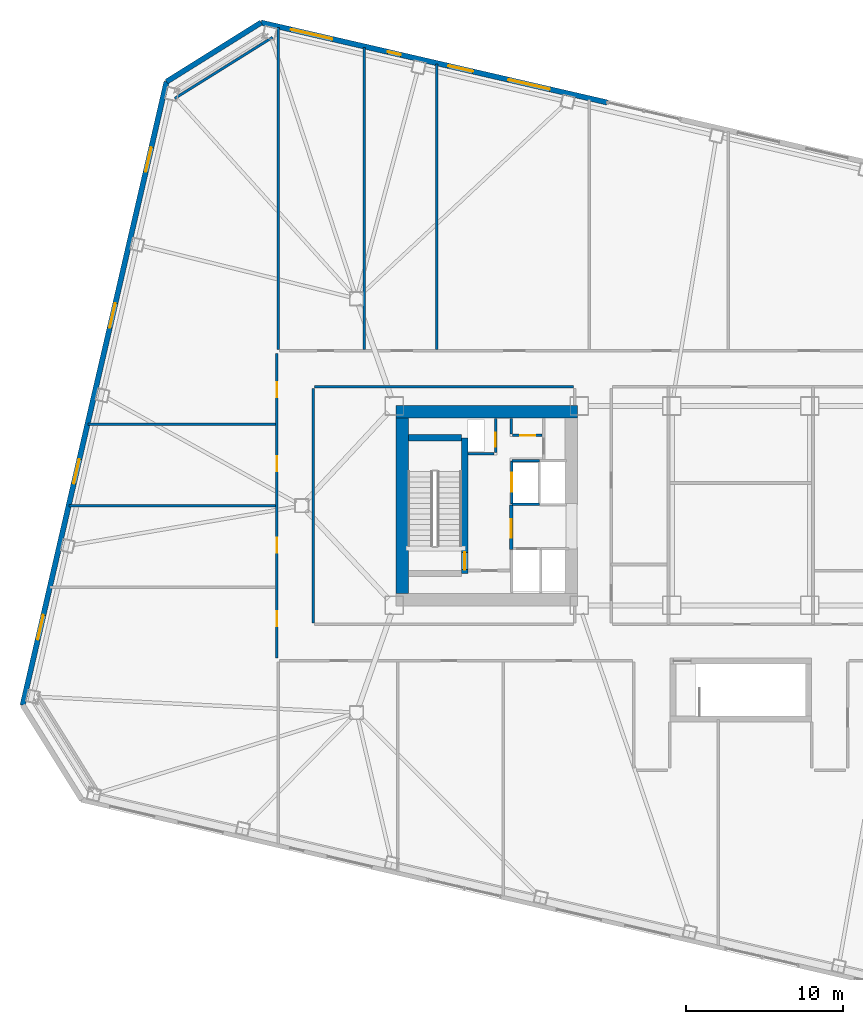
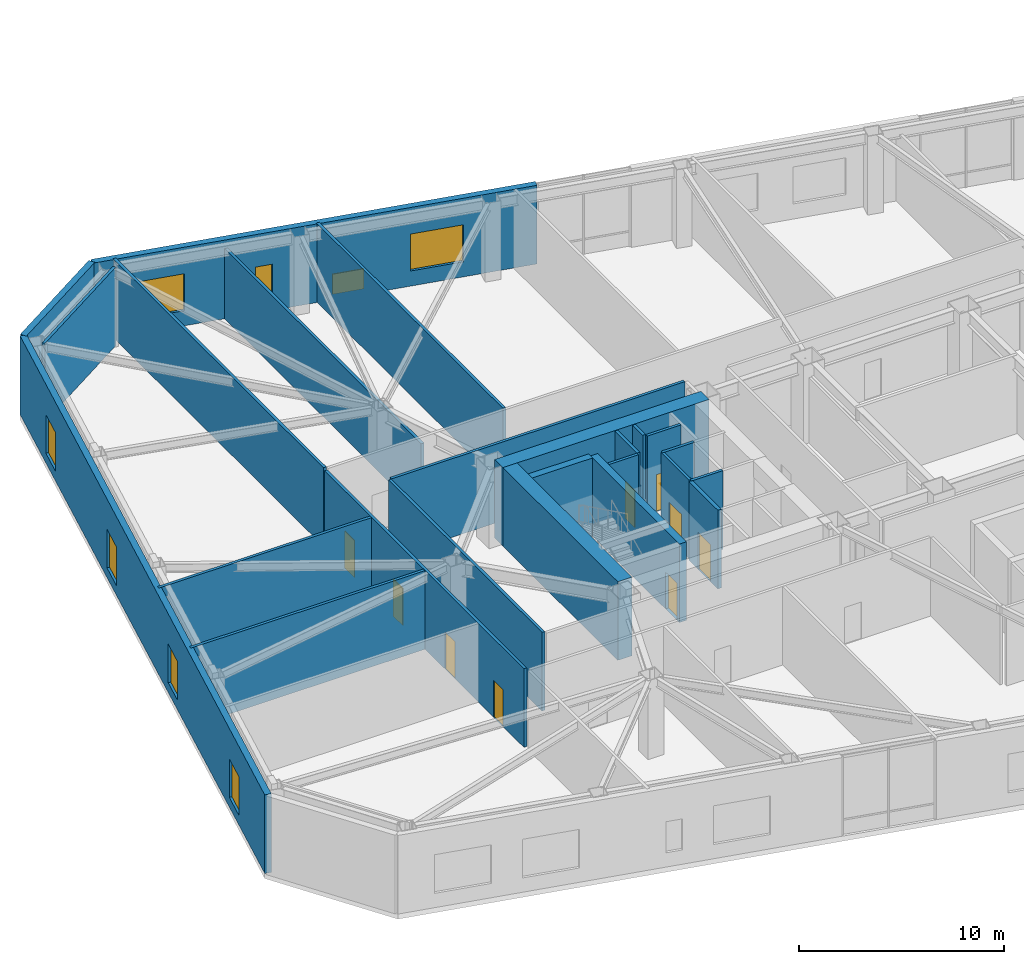
# One storey, part 11 of 19: 24 walls, 9 doors, 8 windows, 17 openings.
"""IFC4 building model written with IfcOpenShell, lengths in metres."""

from ifc_helpers import new_model, si_unit, direction, frame, frame_2d, origin, place, context, subcontext, project, spatial, rectangle, extrude, material, layer, layer_set, type_object, element, fill, save


model = new_model("IFC4")

# Units and contexts
model_context = context("Model", 3, precision=1e-05, world=origin(), true_north=direction((0.0, 1.0)))
body_context = subcontext(model_context, "Body", "Model", "MODEL_VIEW")
ifc_project = project(units=[si_unit("LENGTHUNIT", "METRE"), si_unit("AREAUNIT", "SQUARE_METRE"), si_unit("VOLUMEUNIT", "CUBIC_METRE"), si_unit("PLANEANGLEUNIT", "RADIAN"), si_unit("MASSUNIT", "GRAM", prefix="KILO")], contexts=[model_context])

# Site, building, storey
site_placement = place(None, origin())
site = spatial("IfcSite", under=ifc_project, at=site_placement, CompositionType="ELEMENT")
building_placement = place(site_placement, origin())
building = spatial("IfcBuilding", under=site, at=building_placement, Name="Tavrogorsk Clinical Tower", CompositionType="ELEMENT")
storey_placement = place(building_placement, frame((0.0, 0.0, 28.39990234375)))
storey = spatial("IfcBuildingStorey", under=building, at=storey_placement, Name="L05", CompositionType="ELEMENT", Elevation=28.39990234375)

# Wall, opening, door
ifc_material_1 = material(Name="Concrete B60", Category="concrete")
ifc_layer_1 = layer(ifc_material_1, 0.199951171875)
ifc_layer_set_1 = layer_set([ifc_layer_1], Name="Concrete B60")
wall_type_1 = type_object("IfcWallType", Name="CoreFireWall_200", PredefinedType="SOLIDWALL", material=ifc_layer_set_1)
wall_1_placement = place(storey_placement, frame((-14.639892578125, -2.780029296875, 0.0), z_axis=(0.0, 0.0, 1.0), x_axis=(0.0, 1.0, 0.0)))
wall_1 = element("IfcWall", 1, at=wall_1_placement, inside=storey, type_object=wall_type_1, Name="L05 Core West Firefighting Lobby Fire Wall", PredefinedType="SOLIDWALL", context=body_context, shape_type="SweptSolid", body=[
    extrude(rectangle(XDim=2.820068359375, YDim=0.199951171875, at=frame_2d((1.41015625, 0.0))), origin(), (0.0, 0.0, 1.0), 4.68017578125),
])
opening_1_placement = place(wall_1_placement, frame((0.72998046875, 0.0, 0.0)))
opening_1 = element("IfcOpeningElement", 2, at=opening_1_placement, cuts=wall_1, Name="Opening FD-01", PredefinedType="OPENING", context=body_context, shape_type="SweptSolid", body=[
    extrude(rectangle(XDim=1.199951171875, YDim=2.199951171875, at=frame_2d((0.60009765625, 1.10009765625))), frame((0.0, 0.10986328125, 0.0), z_axis=(0.0, -1.0, 0.0), x_axis=(1.0, 0.0, 0.0)), (0.0, 0.0, 1.0), 0.219970703125),
])
ifc_material_2 = material(Name="Galvanised steel fire-rated door assembly", Category="steel")
door_type_1 = type_object("IfcDoorType", Name="FireDoor_FD01_1200", OperationType="NOTDEFINED", PredefinedType="DOOR", material=ifc_material_2)
door_1_placement = place(opening_1_placement, origin())
door_1 = element("IfcDoor", 3, at=door_1_placement, inside=storey, type_object=door_type_1, Name="L05 Core West Firefighting Lobby Entry Door", OperationType="SINGLE_SWING_LEFT", OverallHeight=2.199951171875, OverallWidth=1.199951171875, PredefinedType="DOOR", context=body_context, shape_type="SweptSolid", body=[
    extrude(rectangle(XDim=1.199951171875, YDim=2.199951171875, at=frame_2d((0.60009765625, 1.10009765625))), frame((0.0, 0.02490234375, 0.0), z_axis=(0.0, -1.0, 0.0), x_axis=(1.0, 0.0, 0.0)), (0.0, 0.0, 1.0), 0.050048828125),
])
fill(opening_1, door_1)

ifc_material_3 = material(Name="Lightweight concrete blockwork B15", Category="masonry")
ifc_layer_2 = layer(ifc_material_3, 0.159912109375)
ifc_layer_set_2 = layer_set([ifc_layer_2], Name="Lightweight concrete blockwork B15")
wall_type_2 = type_object("IfcWallType", Name="PartitionWall_160", PredefinedType="PARTITIONING", material=ifc_layer_set_2)
wall_2_placement = place(storey_placement, frame((-14.554931640625, 4.47998046875, 0.0), z_axis=(0.0, 0.0, 1.0), x_axis=(1.0, 0.0, 0.0)))
wall_2 = element("IfcWall", 4, at=wall_2_placement, inside=storey, type_object=wall_type_2, Name="L05 Core West Housekeeping South Wall", PredefinedType="PARTITIONING", context=body_context, shape_type="SweptSolid", body=[
    extrude(rectangle(XDim=1.889892578125, YDim=0.159912109375, at=frame_2d((0.94482421875, 0.0))), origin(), (0.0, 0.0, 1.0), 4.68017578125),
])
opening_2_placement = place(wall_2_placement, frame((0.5, 0.0, 0.0)))
opening_2 = element("IfcOpeningElement", 5, at=opening_2_placement, cuts=wall_2, Name="Opening ID-02", PredefinedType="OPENING", context=body_context, shape_type="SweptSolid", body=[
    extrude(rectangle(XDim=0.949951171875, YDim=2.199951171875, at=frame_2d((0.47509765625, 1.10009765625))), frame((0.0, 0.08984375, 0.0), z_axis=(0.0, -1.0, 0.0), x_axis=(1.0, 0.0, 0.0)), (0.0, 0.0, 1.0), 0.179931640625),
])
ifc_material_4 = material(Name="Laminated timber leaf on aluminium frame", Category="wood")
door_type_2 = type_object("IfcDoorType", Name="InteriorDoor_ID02_950", OperationType="NOTDEFINED", PredefinedType="DOOR", material=ifc_material_4)
door_2_placement = place(opening_2_placement, origin())
door_2 = element("IfcDoor", 6, at=door_2_placement, inside=storey, type_object=door_type_2, Name="L05 Core West Housekeeping Closet Door", OperationType="SINGLE_SWING_RIGHT", OverallHeight=2.199951171875, OverallWidth=0.949951171875, PredefinedType="DOOR", context=body_context, shape_type="SweptSolid", body=[
    extrude(rectangle(XDim=0.949951171875, YDim=2.199951171875, at=frame_2d((0.47509765625, 1.10009765625))), frame((0.0, 0.02490234375, 0.0), z_axis=(0.0, -1.0, 0.0), x_axis=(1.0, 0.0, 0.0)), (0.0, 0.0, 1.0), 0.050048828125),
])
fill(opening_2, door_2)

# Walls
wall_3_placement = place(storey_placement, frame((-14.639892578125, 4.56494140625, 0.0), z_axis=(0.0, 0.0, 1.0), x_axis=(0.0, 1.0, 0.0)))
element("IfcWall", 7, at=wall_3_placement, inside=storey, type_object=wall_type_2, Name="L05 Core West Housekeeping East Wall", PredefinedType="PARTITIONING", context=body_context, shape_type="SweptSolid", body=[
    extrude(rectangle(XDim=0.9951171875, YDim=0.159912109375, at=frame_2d((0.49755859375, 0.0))), origin(), (0.0, 0.0, 1.0), 4.68017578125),
])
wall_4_placement = place(storey_placement, frame((-29.859619140625, 29.8681640625, 0.0), z_axis=(0.0, 0.0, 1.0), x_axis=(-0.848043064089, -0.529927317139, 0.0)))
element("IfcWall", 8, at=wall_4_placement, inside=storey, type_object=wall_type_2, Name="L05 Corner Exoskeleton Brace Furring Wall 3", PredefinedType="PARTITIONING", context=body_context, shape_type="SweptSolid", body=[
    extrude(rectangle(XDim=7.353759765625, YDim=0.159912109375, at=frame_2d((3.6767578125, 0.0))), origin(), (0.0, 0.0, 1.0), 4.68017578125),
])

# Wall, openings, doors
wall_5_placement = place(storey_placement, frame((-29.580078125, -9.715087890625, 0.0), z_axis=(0.0, 0.0, 1.0), x_axis=(0.0, 1.0, 0.0)))
wall_5 = element("IfcWall", 9, at=wall_5_placement, inside=storey, type_object=wall_type_2, Name="L05 Corridor Partition 01", PredefinedType="PARTITIONING", context=body_context, shape_type="SweptSolid", body=[
    extrude(rectangle(XDim=19.43017578125, YDim=0.159912109375, at=frame_2d((9.715087890625, 0.0))), origin(), (0.0, 0.0, 1.0), 4.68017578125),
])
opening_3_placement = place(wall_5_placement, frame((2.01904296875, 0.0, 0.0)))
opening_3 = element("IfcOpeningElement", 10, at=opening_3_placement, cuts=wall_5, Name="Opening ID-02", PredefinedType="OPENING", context=body_context, shape_type="SweptSolid", body=[
    extrude(rectangle(XDim=0.949951171875, YDim=2.199951171875, at=frame_2d((0.47509765625, 1.10009765625))), frame((0.0, 0.08984375, 0.0), z_axis=(0.0, -1.0, 0.0), x_axis=(1.0, 0.0, 0.0)), (0.0, 0.0, 1.0), 0.179931640625),
])
opening_4_placement = place(wall_5_placement, frame((6.72509765625, 0.0, 0.0)))
opening_4 = element("IfcOpeningElement", 11, at=opening_4_placement, cuts=wall_5, Name="Opening ID-02", PredefinedType="OPENING", context=body_context, shape_type="SweptSolid", body=[
    extrude(rectangle(XDim=0.949951171875, YDim=2.199951171875, at=frame_2d((0.47509765625, 1.10009765625))), frame((0.0, 0.08984375, 0.0), z_axis=(0.0, -1.0, 0.0), x_axis=(1.0, 0.0, 0.0)), (0.0, 0.0, 1.0), 0.179931640625),
])
opening_5_placement = place(wall_5_placement, frame((11.925048828125, 0.0, 0.0)))
opening_5 = element("IfcOpeningElement", 12, at=opening_5_placement, cuts=wall_5, Name="Opening ID-02", PredefinedType="OPENING", context=body_context, shape_type="SweptSolid", body=[
    extrude(rectangle(XDim=0.949951171875, YDim=2.199951171875, at=frame_2d((0.47509765625, 1.10009765625))), frame((0.0, 0.08984375, 0.0), z_axis=(0.0, -1.0, 0.0), x_axis=(1.0, 0.0, 0.0)), (0.0, 0.0, 1.0), 0.179931640625),
])
opening_6_placement = place(wall_5_placement, frame((16.630859375, 0.0, 0.0)))
opening_6 = element("IfcOpeningElement", 13, at=opening_6_placement, cuts=wall_5, Name="Opening ID-02", PredefinedType="OPENING", context=body_context, shape_type="SweptSolid", body=[
    extrude(rectangle(XDim=0.949951171875, YDim=2.199951171875, at=frame_2d((0.47509765625, 1.10009765625))), frame((0.0, 0.08984375, 0.0), z_axis=(0.0, -1.0, 0.0), x_axis=(1.0, 0.0, 0.0)), (0.0, 0.0, 1.0), 0.179931640625),
])
door_3_placement = place(opening_3_placement, origin())
door_3 = element("IfcDoor", 14, at=door_3_placement, inside=storey, type_object=door_type_2, Name="L05 W Solarium Day Room & Lounge 1 Door", OperationType="SINGLE_SWING_LEFT", OverallHeight=2.199951171875, OverallWidth=0.949951171875, PredefinedType="DOOR", context=body_context, shape_type="SweptSolid", body=[
    extrude(rectangle(XDim=0.949951171875, YDim=2.199951171875, at=frame_2d((0.47509765625, 1.10009765625))), frame((0.0, 0.02490234375, 0.0), z_axis=(0.0, -1.0, 0.0), x_axis=(1.0, 0.0, 0.0)), (0.0, 0.0, 1.0), 0.050048828125),
])
fill(opening_3, door_3)
door_4_placement = place(opening_4_placement, origin())
door_4 = element("IfcDoor", 15, at=door_4_placement, inside=storey, type_object=door_type_2, Name="L05 W Rehabilitation Therapy Suite 2 Door", OperationType="SINGLE_SWING_RIGHT", OverallHeight=2.199951171875, OverallWidth=0.949951171875, PredefinedType="DOOR", context=body_context, shape_type="SweptSolid", body=[
    extrude(rectangle(XDim=0.949951171875, YDim=2.199951171875, at=frame_2d((0.47509765625, 1.10009765625))), frame((0.0, 0.02490234375, 0.0), z_axis=(0.0, -1.0, 0.0), x_axis=(1.0, 0.0, 0.0)), (0.0, 0.0, 1.0), 0.050048828125),
])
fill(opening_4, door_4)
door_5_placement = place(opening_5_placement, origin())
door_5 = element("IfcDoor", 16, at=door_5_placement, inside=storey, type_object=door_type_2, Name="L05 W Sub-Acute Observation Suite 3 Door", OperationType="SINGLE_SWING_LEFT", OverallHeight=2.199951171875, OverallWidth=0.949951171875, PredefinedType="DOOR", context=body_context, shape_type="SweptSolid", body=[
    extrude(rectangle(XDim=0.949951171875, YDim=2.199951171875, at=frame_2d((0.47509765625, 1.10009765625))), frame((0.0, 0.02490234375, 0.0), z_axis=(0.0, -1.0, 0.0), x_axis=(1.0, 0.0, 0.0)), (0.0, 0.0, 1.0), 0.050048828125),
])
fill(opening_5, door_5)
door_6_placement = place(opening_6_placement, origin())
door_6 = element("IfcDoor", 17, at=door_6_placement, inside=storey, type_object=door_type_2, Name="L05 W Family Consultation Lounge 4 Door", OperationType="SINGLE_SWING_RIGHT", OverallHeight=2.199951171875, OverallWidth=0.949951171875, PredefinedType="DOOR", context=body_context, shape_type="SweptSolid", body=[
    extrude(rectangle(XDim=0.949951171875, YDim=2.199951171875, at=frame_2d((0.47509765625, 1.10009765625))), frame((0.0, 0.02490234375, 0.0), z_axis=(0.0, -1.0, 0.0), x_axis=(1.0, 0.0, 0.0)), (0.0, 0.0, 1.0), 0.050048828125),
])
fill(opening_6, door_6)

# Walls
wall_6_placement = place(storey_placement, frame((-10.6650390625, 7.570068359375, 0.0), z_axis=(0.0, 0.0, 1.0), x_axis=(-1.0, 0.0, 0.0)))
element("IfcWall", 18, at=wall_6_placement, inside=storey, type_object=wall_type_2, Name="L05 Corridor Partition 23", PredefinedType="PARTITIONING", context=body_context, shape_type="SweptSolid", body=[
    extrude(rectangle(XDim=16.52001953125, YDim=0.159912109375, at=frame_2d((8.260009765625, 0.0))), origin(), (0.0, 0.0, 1.0), 4.68017578125),
])
wall_7_placement = place(storey_placement, frame((-27.27001953125, 7.485107421875, 0.0), z_axis=(0.0, 0.0, 1.0), x_axis=(0.0, -1.0, 0.0)))
element("IfcWall", 19, at=wall_7_placement, inside=storey, type_object=wall_type_2, Name="L05 Corridor Partition 24", PredefinedType="PARTITIONING", context=body_context, shape_type="SweptSolid", body=[
    extrude(rectangle(XDim=14.97021484375, YDim=0.159912109375, at=frame_2d((7.485107421875, 0.0))), origin(), (0.0, 0.0, 1.0), 4.68017578125),
])
wall_8_placement = place(storey_placement, frame((-29.5, 9.965087890625, 0.0), z_axis=(0.0, 0.0, 1.0), x_axis=(0.0, 1.0, 0.0)))
element("IfcWall", 20, at=wall_8_placement, inside=storey, type_object=wall_type_2, Name="L05 NW Wing Closure Partition", PredefinedType="PARTITIONING", context=body_context, shape_type="SweptSolid", body=[
    extrude(rectangle(XDim=20.5185546875, YDim=0.159912109375, at=frame_2d((10.25927734375, 0.0))), origin(), (0.0, 0.0, 1.0), 4.68017578125),
])
wall_9_placement = place(storey_placement, frame((-19.39990234375, 9.965087890625, 0.0), z_axis=(0.0, 0.0, 1.0), x_axis=(0.0, 1.0, 0.0)))
element("IfcWall", 21, at=wall_9_placement, inside=storey, type_object=wall_type_2, Name="L05 North Room Partition 1", PredefinedType="PARTITIONING", context=body_context, shape_type="SweptSolid", body=[
    extrude(rectangle(XDim=18.186767578125, YDim=0.159912109375, at=frame_2d((9.09326171875, 0.0))), origin(), (0.0, 0.0, 1.0), 4.68017578125),
])
wall_10_placement = place(storey_placement, frame((-24.0, 9.965087890625, 0.0), z_axis=(0.0, 0.0, 1.0), x_axis=(0.0, 1.0, 0.0)))
element("IfcWall", 22, at=wall_10_placement, inside=storey, type_object=wall_type_2, Name="L05 North Sub-Partition 1", PredefinedType="PARTITIONING", context=body_context, shape_type="SweptSolid", body=[
    extrude(rectangle(XDim=19.248779296875, YDim=0.159912109375, at=frame_2d((9.62451171875, 0.0))), origin(), (0.0, 0.0, 1.0), 4.175048828125),
])
wall_11_placement = place(storey_placement, frame((-42.841552734375, 0.0, 0.0), z_axis=(0.0, 0.0, 1.0), x_axis=(1.0, 0.0, 0.0)))
element("IfcWall", 23, at=wall_11_placement, inside=storey, type_object=wall_type_2, Name="L05 W Wing Divider 2", PredefinedType="PARTITIONING", context=body_context, shape_type="SweptSolid", body=[
    extrude(rectangle(XDim=13.176513671875, YDim=0.159912109375, at=frame_2d((6.58837890625, 0.0))), origin(), (0.0, 0.0, 1.0), 4.68017578125),
])
wall_12_placement = place(storey_placement, frame((-41.64111328125, 5.199951171875, 0.0), z_axis=(0.0, 0.0, 1.0), x_axis=(1.0, 0.0, 0.0)))
element("IfcWall", 24, at=wall_12_placement, inside=storey, type_object=wall_type_2, Name="L05 W Wing Divider 3", PredefinedType="PARTITIONING", context=body_context, shape_type="SweptSolid", body=[
    extrude(rectangle(XDim=11.97607421875, YDim=0.159912109375, at=frame_2d((5.988037109375, 0.0))), origin(), (0.0, 0.0, 1.0), 4.68017578125),
])

# Wall, openings, windows
ifc_material_5 = material(Name="Precast concrete B45 with limestone cladding", Category="masonry")
ifc_layer_3 = layer(ifc_material_5, 0.340087890625)
ifc_layer_set_3 = layer_set([ifc_layer_3], Name="Precast concrete B45 with limestone cladding")
wall_type_3 = type_object("IfcWallType", Name="PrecastLimestoneWall_340", PredefinedType="STANDARD", material=ifc_layer_set_3)
wall_13_placement = place(storey_placement, frame((-8.5166015625, 25.711181640625, 0.0), z_axis=(0.0, 0.0, 1.0), x_axis=(-0.974372845456, 0.224939009598, 0.0)))
wall_13 = element("IfcWall", 25, at=wall_13_placement, inside=storey, type_object=wall_type_3, Name="L05 N Limestone Facade Wall 3", PredefinedType="STANDARD", context=body_context, shape_type="SweptSolid", body=[
    extrude(rectangle(XDim=22.651611328125, YDim=0.340087890625, at=frame_2d((11.32568359375, 0.0))), origin(), (0.0, 0.0, 1.0), 4.68017578125),
])
opening_7_placement = place(wall_13_placement, frame((17.9892578125, 0.0, 0.89990234375)))
opening_7 = element("IfcOpeningElement", 26, at=opening_7_placement, cuts=wall_13, Name="Opening WN-02", PredefinedType="OPENING", context=body_context, shape_type="SweptSolid", body=[
    extrude(rectangle(XDim=2.699951171875, YDim=2.199951171875, at=frame_2d((1.35009765625, 1.10009765625))), frame((0.0, 0.179931640625, 0.0), z_axis=(0.0, -1.0, 0.0), x_axis=(1.0, 0.0, 0.0)), (0.0, 0.0, 1.0), 0.360107421875),
])
opening_8_placement = place(wall_13_placement, frame((13.5048828125, 0.0, 0.89990234375)))
opening_8 = element("IfcOpeningElement", 27, at=opening_8_placement, cuts=wall_13, Name="Opening WN-06", PredefinedType="OPENING", context=body_context, shape_type="SweptSolid", body=[
    extrude(rectangle(XDim=0.85009765625, YDim=1.85009765625, at=frame_2d((0.425048828125, 0.925048828125))), frame((0.0, 0.179931640625, 0.0), z_axis=(0.0, -1.0, 0.0), x_axis=(1.0, 0.0, 0.0)), (0.0, 0.0, 1.0), 0.360107421875),
])
opening_9_placement = place(wall_13_placement, frame((8.790771484375, 0.0, 0.219970703125)))
opening_9 = element("IfcOpeningElement", 28, at=opening_9_placement, cuts=wall_13, Name="Opening WN-09", PredefinedType="OPENING", context=body_context, shape_type="SweptSolid", body=[
    extrude(rectangle(XDim=1.60009765625, YDim=1.199951171875, at=frame_2d((0.800048828125, 0.60009765625))), frame((0.0, 0.179931640625, 0.0), z_axis=(0.0, -1.0, 0.0), x_axis=(1.0, 0.0, 0.0)), (0.0, 0.0, 1.0), 0.360107421875),
])
opening_10_placement = place(wall_13_placement, frame((3.75634765625, 0.0, 0.89990234375)))
opening_10 = element("IfcOpeningElement", 29, at=opening_10_placement, cuts=wall_13, Name="Opening WN-02", PredefinedType="OPENING", context=body_context, shape_type="SweptSolid", body=[
    extrude(rectangle(XDim=2.699951171875, YDim=2.199951171875, at=frame_2d((1.35009765625, 1.10009765625))), frame((0.0, 0.179931640625, 0.0), z_axis=(0.0, -1.0, 0.0), x_axis=(1.0, 0.0, 0.0)), (0.0, 0.0, 1.0), 0.360107421875),
])
ifc_material_6 = material(Name="Thermally broken aluminium frame and triple IGU", Category="aluminium")
window_type_1 = type_object("IfcWindowType", Name="LowHeadTransWin_1600x1200", PartitioningType="DOUBLE_PANEL_VERTICAL", PredefinedType="WINDOW", material=ifc_material_6)
window_1_placement = place(opening_9_placement, origin())
window_1 = element("IfcWindow", 30, at=window_1_placement, inside=storey, type_object=window_type_1, Name="L05 N Chicago Window 03", OverallHeight=1.199951171875, OverallWidth=1.60009765625, PartitioningType="SINGLE_PANEL", PredefinedType="WINDOW", context=body_context, shape_type="SweptSolid", body=[
    extrude(rectangle(XDim=1.60009765625, YDim=1.199951171875, at=frame_2d((0.800048828125, 0.60009765625))), frame((0.0, 0.030029296875, 0.0), z_axis=(0.0, -1.0, 0.0), x_axis=(1.0, 0.0, 0.0)), (0.0, 0.0, 1.0), 0.06005859375),
])
fill(opening_9, window_1)
ifc_material_7 = material(Name="Thermally broken aluminium frame and triple IGU", Category="aluminium")
window_type_2 = type_object("IfcWindowType", Name="MullionSubWin_850x1850", PartitioningType="SINGLE_PANEL", PredefinedType="WINDOW", material=ifc_material_7)
window_2_placement = place(opening_8_placement, origin())
window_2 = element("IfcWindow", 31, at=window_2_placement, inside=storey, type_object=window_type_2, Name="L05 N Mullion Split Window 02A", OverallHeight=1.85009765625, OverallWidth=0.85009765625, PartitioningType="SINGLE_PANEL", PredefinedType="WINDOW", context=body_context, shape_type="SweptSolid", body=[
    extrude(rectangle(XDim=0.85009765625, YDim=1.85009765625, at=frame_2d((0.425048828125, 0.925048828125))), frame((0.0, 0.030029296875, 0.0), z_axis=(0.0, -1.0, 0.0), x_axis=(1.0, 0.0, 0.0)), (0.0, 0.0, 1.0), 0.06005859375),
])
fill(opening_8, window_2)
ifc_material_8 = material(Name="Thermally broken aluminium frame and triple IGU", Category="aluminium")
window_type_3 = type_object("IfcWindowType", Name="WardChicagoWin_2700x2200", PartitioningType="TRIPLE_PANEL_HORIZONTAL", PredefinedType="WINDOW", material=ifc_material_8)
window_3_placement = place(opening_7_placement, origin())
window_3 = element("IfcWindow", 32, at=window_3_placement, inside=storey, type_object=window_type_3, Name="L05 N Chicago Window 01", OverallHeight=2.199951171875, OverallWidth=2.699951171875, PartitioningType="SINGLE_PANEL", PredefinedType="WINDOW", context=body_context, shape_type="SweptSolid", body=[
    extrude(rectangle(XDim=2.699951171875, YDim=2.199951171875, at=frame_2d((1.35009765625, 1.10009765625))), frame((0.0, 0.030029296875, 0.0), z_axis=(0.0, -1.0, 0.0), x_axis=(1.0, 0.0, 0.0)), (0.0, 0.0, 1.0), 0.06005859375),
])
fill(opening_7, window_3)
window_4_placement = place(opening_10_placement, origin())
window_4 = element("IfcWindow", 33, at=window_4_placement, inside=storey, type_object=window_type_3, Name="L05 N Chicago Window 04", OverallHeight=2.199951171875, OverallWidth=2.699951171875, PartitioningType="SINGLE_PANEL", PredefinedType="WINDOW", context=body_context, shape_type="SweptSolid", body=[
    extrude(rectangle(XDim=2.699951171875, YDim=2.199951171875, at=frame_2d((1.35009765625, 1.10009765625))), frame((0.0, 0.030029296875, 0.0), z_axis=(0.0, -1.0, 0.0), x_axis=(1.0, 0.0, 0.0)), (0.0, 0.0, 1.0), 0.06005859375),
])
fill(opening_10, window_4)

wall_14_placement = place(storey_placement, frame((-36.6201171875, 27.036865234375, 0.0), z_axis=(0.0, 0.0, 1.0), x_axis=(-0.224951280646, -0.974370012539, 0.0)))
wall_14 = element("IfcWall", 34, at=wall_14_placement, inside=storey, type_object=wall_type_3, Name="L05 W Pleated Limestone Wing Wall", PredefinedType="STANDARD", context=body_context, shape_type="SweptSolid", body=[
    extrude(rectangle(XDim=40.7998046875, YDim=0.340087890625, at=frame_2d((20.39990234375, 0.0))), origin(), (0.0, 0.0, 1.0), 4.68017578125),
])
opening_11_placement = place(wall_14_placement, frame((4.300048828125, 0.0, 0.580078125)))
opening_11 = element("IfcOpeningElement", 35, at=opening_11_placement, cuts=wall_14, Name="Opening WN-07", PredefinedType="OPENING", context=body_context, shape_type="SweptSolid", body=[
    extrude(rectangle(XDim=1.60009765625, YDim=2.300048828125, at=frame_2d((0.800048828125, 1.14990234375))), frame((0.0, 0.179931640625, 0.0), z_axis=(0.0, -1.0, 0.0), x_axis=(1.0, 0.0, 0.0)), (0.0, 0.0, 1.0), 0.360107421875),
])
opening_12_placement = place(wall_14_placement, frame((14.5, 0.0, 0.580078125)))
opening_12 = element("IfcOpeningElement", 36, at=opening_12_placement, cuts=wall_14, Name="Opening WN-07", PredefinedType="OPENING", context=body_context, shape_type="SweptSolid", body=[
    extrude(rectangle(XDim=1.60009765625, YDim=2.300048828125, at=frame_2d((0.800048828125, 1.14990234375))), frame((0.0, 0.179931640625, 0.0), z_axis=(0.0, -1.0, 0.0), x_axis=(1.0, 0.0, 0.0)), (0.0, 0.0, 1.0), 0.360107421875),
])
opening_13_placement = place(wall_14_placement, frame((24.699951171875, 0.0, 0.580078125)))
opening_13 = element("IfcOpeningElement", 37, at=opening_13_placement, cuts=wall_14, Name="Opening WN-07", PredefinedType="OPENING", context=body_context, shape_type="SweptSolid", body=[
    extrude(rectangle(XDim=1.60009765625, YDim=2.300048828125, at=frame_2d((0.800048828125, 1.14990234375))), frame((0.0, 0.179931640625, 0.0), z_axis=(0.0, -1.0, 0.0), x_axis=(1.0, 0.0, 0.0)), (0.0, 0.0, 1.0), 0.360107421875),
])
opening_14_placement = place(wall_14_placement, frame((34.89990234375, 0.0, 0.580078125)))
opening_14 = element("IfcOpeningElement", 38, at=opening_14_placement, cuts=wall_14, Name="Opening WN-07", PredefinedType="OPENING", context=body_context, shape_type="SweptSolid", body=[
    extrude(rectangle(XDim=1.60009765625, YDim=2.300048828125, at=frame_2d((0.800048828125, 1.14990234375))), frame((0.0, 0.179931640625, 0.0), z_axis=(0.0, -1.0, 0.0), x_axis=(1.0, 0.0, 0.0)), (0.0, 0.0, 1.0), 0.360107421875),
])
ifc_material_9 = material(Name="Thermally broken aluminium frame and triple IGU", Category="aluminium")
window_type_4 = type_object("IfcWindowType", Name="PleatSlotWin_1600x2300", PartitioningType="SINGLE_PANEL", PredefinedType="WINDOW", material=ifc_material_9)
window_5_placement = place(opening_11_placement, origin())
window_5 = element("IfcWindow", 39, at=window_5_placement, inside=storey, type_object=window_type_4, Name="L05 W Pleat Slot Window 1", OverallHeight=2.300048828125, OverallWidth=1.60009765625, PartitioningType="SINGLE_PANEL", PredefinedType="WINDOW", context=body_context, shape_type="SweptSolid", body=[
    extrude(rectangle(XDim=1.60009765625, YDim=2.300048828125, at=frame_2d((0.800048828125, 1.14990234375))), frame((0.0, 0.030029296875, 0.0), z_axis=(0.0, -1.0, 0.0), x_axis=(1.0, 0.0, 0.0)), (0.0, 0.0, 1.0), 0.06005859375),
])
fill(opening_11, window_5)
window_6_placement = place(opening_12_placement, origin())
window_6 = element("IfcWindow", 40, at=window_6_placement, inside=storey, type_object=window_type_4, Name="L05 W Pleat Slot Window 2", OverallHeight=2.300048828125, OverallWidth=1.60009765625, PartitioningType="SINGLE_PANEL", PredefinedType="WINDOW", context=body_context, shape_type="SweptSolid", body=[
    extrude(rectangle(XDim=1.60009765625, YDim=2.300048828125, at=frame_2d((0.800048828125, 1.14990234375))), frame((0.0, 0.030029296875, 0.0), z_axis=(0.0, -1.0, 0.0), x_axis=(1.0, 0.0, 0.0)), (0.0, 0.0, 1.0), 0.06005859375),
])
fill(opening_12, window_6)
window_7_placement = place(opening_13_placement, origin())
window_7 = element("IfcWindow", 41, at=window_7_placement, inside=storey, type_object=window_type_4, Name="L05 W Pleat Slot Window 3", OverallHeight=2.300048828125, OverallWidth=1.60009765625, PartitioningType="SINGLE_PANEL", PredefinedType="WINDOW", context=body_context, shape_type="SweptSolid", body=[
    extrude(rectangle(XDim=1.60009765625, YDim=2.300048828125, at=frame_2d((0.800048828125, 1.14990234375))), frame((0.0, 0.030029296875, 0.0), z_axis=(0.0, -1.0, 0.0), x_axis=(1.0, 0.0, 0.0)), (0.0, 0.0, 1.0), 0.06005859375),
])
fill(opening_13, window_7)
window_8_placement = place(opening_14_placement, origin())
window_8 = element("IfcWindow", 42, at=window_8_placement, inside=storey, type_object=window_type_4, Name="L05 W Pleat Slot Window 4", OverallHeight=2.300048828125, OverallWidth=1.60009765625, PartitioningType="SINGLE_PANEL", PredefinedType="WINDOW", context=body_context, shape_type="SweptSolid", body=[
    extrude(rectangle(XDim=1.60009765625, YDim=2.300048828125, at=frame_2d((0.800048828125, 1.14990234375))), frame((0.0, 0.030029296875, 0.0), z_axis=(0.0, -1.0, 0.0), x_axis=(1.0, 0.0, 0.0)), (0.0, 0.0, 1.0), 0.06005859375),
])
fill(opening_14, window_8)

# Wall
wall_15_placement = place(storey_placement, frame((-30.587646484375, 30.806640625, 0.0), z_axis=(0.0, 0.0, 1.0), x_axis=(-0.848031080615, -0.529946493819, 0.0)))
element("IfcWall", 43, at=wall_15_placement, inside=storey, type_object=wall_type_3, Name="L05 Chamfered Corner Wall 3", PredefinedType="STANDARD", context=body_context, shape_type="SweptSolid", body=[
    extrude(rectangle(XDim=7.113525390625, YDim=0.340087890625, at=frame_2d((3.556640625, 0.0))), origin(), (0.0, 0.0, 1.0), 4.68017578125),
])

# Wall, opening, door
ifc_material_10 = material(Name="Lightweight concrete blockwork B25", Category="masonry")
ifc_layer_4 = layer(ifc_material_10, 0.159912109375)
ifc_layer_set_4 = layer_set([ifc_layer_4], Name="Lightweight concrete blockwork B25")
wall_type_4 = type_object("IfcWallType", Name="ShaftWall_160", PredefinedType="PARTITIONING", material=ifc_layer_set_4)
wall_16_placement = place(storey_placement, frame((-14.60009765625, 0.1201171875, 0.0), z_axis=(0.0, 0.0, 1.0), x_axis=(0.0, 1.0, 0.0)))
wall_16 = element("IfcWall", 44, at=wall_16_placement, inside=storey, type_object=wall_type_4, Name="L05 FFL-W Firefighting Lift Front Wall", PredefinedType="PARTITIONING", context=body_context, shape_type="SweptSolid", body=[
    extrude(rectangle(XDim=2.739990234375, YDim=0.159912109375, at=frame_2d((1.3701171875, 0.0))), origin(), (0.0, 0.0, 1.0), 4.68017578125),
])
opening_15_placement = place(wall_16_placement, frame((0.77001953125, 0.0, 0.0)))
opening_15 = element("IfcOpeningElement", 45, at=opening_15_placement, cuts=wall_16, Name="Opening LD", PredefinedType="OPENING", context=body_context, shape_type="SweptSolid", body=[
    extrude(rectangle(XDim=1.199951171875, YDim=2.199951171875, at=frame_2d((0.60009765625, 1.10009765625))), frame((0.0, 0.08984375, 0.0), z_axis=(0.0, -1.0, 0.0), x_axis=(1.0, 0.0, 0.0)), (0.0, 0.0, 1.0), 0.179931640625),
])
ifc_material_11 = material(Name="Brushed stainless steel AISI 304 sliding doors", Category="steel")
door_type_3 = type_object("IfcDoorType", Name="LiftLandingDoor_LD_1200", OperationType="SLIDING_TO_LEFT", PredefinedType="DOOR", material=ifc_material_11)
door_7_placement = place(opening_15_placement, origin())
door_7 = element("IfcDoor", 46, at=door_7_placement, inside=storey, type_object=door_type_3, Name="L05 FFL-W Sliding Lift Landing Door", OperationType="SLIDING_TO_LEFT", OverallHeight=2.199951171875, OverallWidth=1.199951171875, PredefinedType="DOOR", context=body_context, shape_type="SweptSolid", body=[
    extrude(rectangle(XDim=1.199951171875, YDim=2.199951171875, at=frame_2d((0.60009765625, 1.10009765625))), frame((0.0, 0.02490234375, 0.0), z_axis=(0.0, -1.0, 0.0), x_axis=(1.0, 0.0, 0.0)), (0.0, 0.0, 1.0), 0.050048828125),
])
fill(opening_15, door_7)

# Walls
for number, where, z_axis, x_axis, name in (
    (47, (-14.60009765625, 0.10009765625, 0.0), (0.0, 0.0, 1.0), (1.0, 0.0, 0.0), "L05 FFL-W Shaft South Wall"),
    (48, (-14.60009765625, 2.8798828125, 0.0), (0.0, 0.0, 1.0), (1.0, 0.0, 0.0), "L05 FFL-W Shaft North Wall"),
):
    element("IfcWall", number, at=place(storey_placement, frame(where, z_axis=z_axis, x_axis=x_axis)), inside=storey, type_object=wall_type_4, Name=name, PredefinedType="PARTITIONING", context=body_context, shape_type="SweptSolid", body=[
        extrude(rectangle(XDim=1.760009765625, YDim=0.159912109375, at=frame_2d((0.8798828125, 0.0))), origin(), (0.0, 0.0, 1.0), 4.68017578125),
    ])

# Wall, opening, door
wall_17_placement = place(storey_placement, frame((-15.639892578125, 3.405029296875, 0.0), z_axis=(0.0, 0.0, 1.0), x_axis=(0.0, 1.0, 0.0)))
wall_17 = element("IfcWall", 49, at=wall_17_placement, inside=storey, type_object=wall_type_4, Name="L05 Core West Riser West Wall", PredefinedType="PARTITIONING", context=body_context, shape_type="SweptSolid", body=[
    extrude(rectangle(XDim=2.155029296875, YDim=0.159912109375, at=frame_2d((1.07763671875, 0.0))), origin(), (0.0, 0.0, 1.0), 4.68017578125),
])
opening_16_placement = place(wall_17_placement, frame((0.35009765625, 0.0, 0.0)))
opening_16 = element("IfcOpeningElement", 50, at=opening_16_placement, cuts=wall_17, Name="Opening FD-02", PredefinedType="OPENING", context=body_context, shape_type="SweptSolid", body=[
    extrude(rectangle(XDim=0.89990234375, YDim=2.199951171875, at=frame_2d((0.449951171875, 1.10009765625))), frame((0.0, 0.08984375, 0.0), z_axis=(0.0, -1.0, 0.0), x_axis=(1.0, 0.0, 0.0)), (0.0, 0.0, 1.0), 0.179931640625),
])
ifc_material_12 = material(Name="Galvanised steel fire-rated door assembly", Category="steel")
door_type_4 = type_object("IfcDoorType", Name="FireDoor_FD02_900", OperationType="NOTDEFINED", PredefinedType="DOOR", material=ifc_material_12)
door_8_placement = place(opening_16_placement, origin())
door_8 = element("IfcDoor", 51, at=door_8_placement, inside=storey, type_object=door_type_4, Name="L05 Core West Electrical Riser Access Door", OperationType="SINGLE_SWING_LEFT", OverallHeight=2.199951171875, OverallWidth=0.89990234375, PredefinedType="DOOR", context=body_context, shape_type="SweptSolid", body=[
    extrude(rectangle(XDim=0.89990234375, YDim=2.199951171875, at=frame_2d((0.449951171875, 1.10009765625))), frame((0.0, 0.02490234375, 0.0), z_axis=(0.0, -1.0, 0.0), x_axis=(1.0, 0.0, 0.0)), (0.0, 0.0, 1.0), 0.050048828125),
])
fill(opening_16, door_8)

# Wall
wall_18_placement = place(storey_placement, frame((-17.3798828125, 3.320068359375, 0.0), z_axis=(0.0, 0.0, 1.0), x_axis=(1.0, 0.0, 0.0)))
element("IfcWall", 52, at=wall_18_placement, inside=storey, type_object=wall_type_4, Name="L05 Core West Riser South Wall", PredefinedType="PARTITIONING", context=body_context, shape_type="SweptSolid", body=[
    extrude(rectangle(XDim=1.65478515625, YDim=0.159912109375, at=frame_2d((0.827392578125, 0.0))), origin(), (0.0, 0.0, 1.0), 4.68017578125),
])

# Wall, opening, door
ifc_material_13 = material(Name="Concrete B80", Category="concrete")
ifc_layer_5 = layer(ifc_material_13, 0.39990234375)
ifc_layer_set_5 = layer_set([ifc_layer_5], Name="Concrete B80")
wall_type_5 = type_object("IfcWallType", Name="ShearWall_400", PredefinedType="SHEAR", material=ifc_layer_set_5)
wall_19_placement = place(storey_placement, frame((-17.60009765625, -4.324951171875, 0.0), z_axis=(0.0, 0.0, 1.0), x_axis=(0.0, 1.0, 0.0)))
wall_19 = element("IfcWall", 53, at=wall_19_placement, inside=storey, type_object=wall_type_5, Name="L05 Core West Stair Shaft Inner Shear Wall", PredefinedType="SHEAR", context=body_context, shape_type="SweptSolid", body=[
    extrude(rectangle(XDim=8.64990234375, YDim=0.39990234375, at=frame_2d((4.324951171875, 0.0))), origin(), (0.0, 0.0, 1.0), 4.68017578125),
])
opening_17_placement = place(wall_19_placement, frame((0.25, 0.0, 0.0)))
opening_17 = element("IfcOpeningElement", 54, at=opening_17_placement, cuts=wall_19, Name="Opening SD-01", PredefinedType="OPENING", context=body_context, shape_type="SweptSolid", body=[
    extrude(rectangle(XDim=1.10009765625, YDim=2.199951171875, at=frame_2d((0.550048828125, 1.10009765625))), frame((0.0, 0.2099609375, 0.0), z_axis=(0.0, -1.0, 0.0), x_axis=(1.0, 0.0, 0.0)), (0.0, 0.0, 1.0), 0.419921875),
])
ifc_material_14 = material(Name="Galvanised steel smoke-tight fire door assembly", Category="steel")
door_type_5 = type_object("IfcDoorType", Name="StairFireDoor_SD01_1100", OperationType="NOTDEFINED", PredefinedType="DOOR", material=ifc_material_14)
door_9_placement = place(opening_17_placement, origin())
door_9 = element("IfcDoor", 55, at=door_9_placement, inside=storey, type_object=door_type_5, Name="L05 ST-W Exit Stair Door", OperationType="SINGLE_SWING_RIGHT", OverallHeight=2.199951171875, OverallWidth=1.10009765625, PredefinedType="DOOR", context=body_context, shape_type="SweptSolid", body=[
    extrude(rectangle(XDim=1.10009765625, YDim=2.199951171875, at=frame_2d((0.550048828125, 1.10009765625))), frame((0.0, 0.02490234375, 0.0), z_axis=(0.0, -1.0, 0.0), x_axis=(1.0, 0.0, 0.0)), (0.0, 0.0, 1.0), 0.050048828125),
])
fill(opening_17, door_9)

# Walls
wall_20_placement = place(storey_placement, frame((-21.199951171875, 4.324951171875, 0.0), z_axis=(0.0, 0.0, 1.0), x_axis=(1.0, 0.0, 0.0)))
element("IfcWall", 56, at=wall_20_placement, inside=storey, type_object=wall_type_5, Name="L05 Core West Stair Shaft North Shear Wall", PredefinedType="SHEAR", context=body_context, shape_type="SweptSolid", body=[
    extrude(rectangle(XDim=3.39990234375, YDim=0.39990234375, at=frame_2d((1.699951171875, 0.0))), origin(), (0.0, 0.0, 1.0), 4.68017578125),
])
ifc_material_15 = material(Name="Concrete B80", Category="concrete")
ifc_layer_6 = layer(ifc_material_15, 0.800048828125)
ifc_layer_set_6 = layer_set([ifc_layer_6], Name="Concrete B80")
wall_type_6 = type_object("IfcWallType", Name="ShearWall_800", PredefinedType="SHEAR", material=ifc_layer_set_6)
wall_21_placement = place(storey_placement, frame((-22.0, 6.0, 0.0), z_axis=(0.0, 0.0, 1.0), x_axis=(1.0, 0.0, 0.0)))
element("IfcWall", 57, at=wall_21_placement, inside=storey, type_object=wall_type_6, Name="L05 Core West North Shear Wall", PredefinedType="SHEAR", context=body_context, shape_type="SweptSolid", body=[
    extrude(rectangle(XDim=11.60009765625, YDim=0.800048828125, at=frame_2d((5.800048828125, 0.0))), origin(), (0.0, 0.0, 1.0), 4.68017578125),
])
wall_22_placement = place(storey_placement, frame((-21.60009765625, -5.60009765625, 0.0), z_axis=(0.0, 0.0, 1.0), x_axis=(0.0, 1.0, 0.0)))
element("IfcWall", 58, at=wall_22_placement, inside=storey, type_object=wall_type_6, Name="L05 Core West End Shear Wall", PredefinedType="SHEAR", context=body_context, shape_type="SweptSolid", body=[
    extrude(rectangle(XDim=11.2001953125, YDim=0.800048828125, at=frame_2d((5.60009765625, 0.0))), origin(), (0.0, 0.0, 1.0), 4.68017578125),
])

save(model, "model.ifc")
